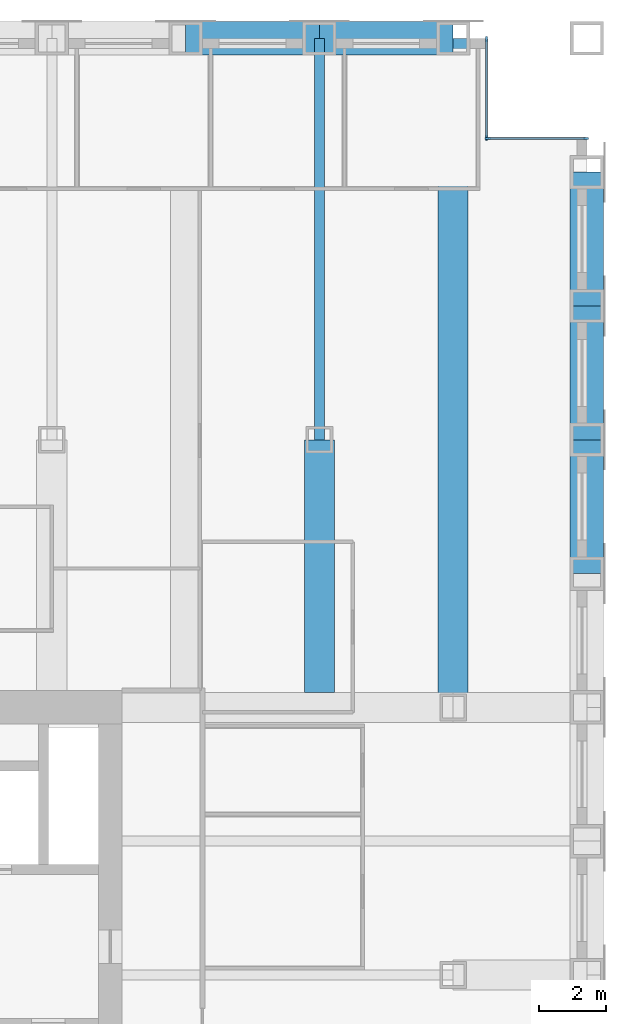
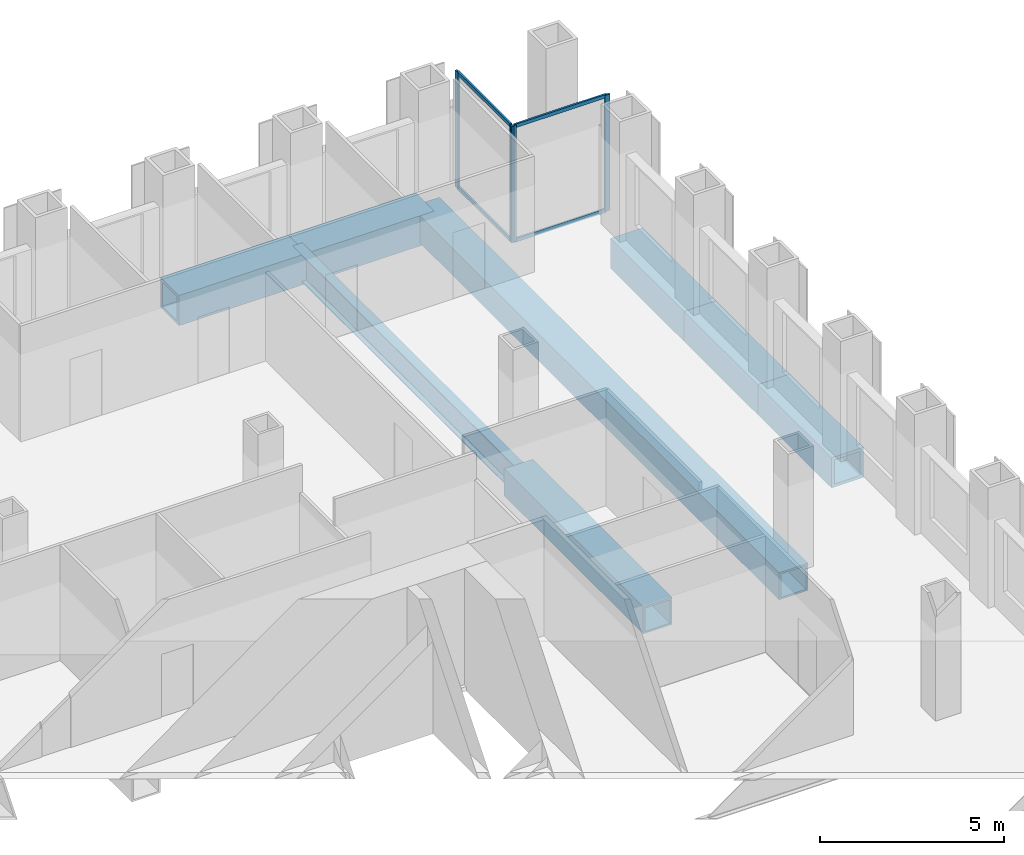
# One storey, part 7 of 13: 8 beams, 8 members, 2 elements without a shape of their own.
"""IFC4 building model written with IfcOpenShell, lengths in metres."""

import ifcopenshell
import ifcopenshell.guid

model = None  # the IFC model being written
_history = None  # IfcOwnerHistory: only IFC2X3 demands one
_inside = {}  # id of a spatial element -> (the spatial element, [elements in it])
_under = {}  # id of a project, library or spatial element -> (it, [spatial elements below it])
_declared = {}  # id of a project -> (the project, [libraries it declares])
_typed = {}  # id of a type object -> (the type object, [elements of that type])
_made_of = {}  # id of a material, layer set ... -> (it, [elements and type objects made of it])


def new_model(schema):
    """Start an empty IFC model of exactly this schema.

    Asked for "IFC4X3", IfcOpenShell would pick the latest addendum, in which some entities
    have other attributes; the version numbers below select the first issue.
    IFC2X3 requires an IfcOwnerHistory on every rooted entity: one is made here for all.
    """
    global model, _history
    if schema == "IFC4X3":
        model = ifcopenshell.file(schema_version=(4, 3, 0, 0))
    else:
        model = ifcopenshell.file(schema=schema)
    _inside.clear()
    _under.clear()
    _declared.clear()
    _typed.clear()
    _made_of.clear()
    _history = None
    if model.schema == "IFC2X3":
        org = make("IfcOrganization", Name="unknown")
        user = make(
            "IfcPersonAndOrganization",
            ThePerson=make("IfcPerson", FamilyName="unknown"),
            TheOrganization=org,
        )
        app = make(
            "IfcApplication",
            ApplicationDeveloper=org,
            Version="unknown",
            ApplicationFullName="unknown",
            ApplicationIdentifier="unknown",
        )
        _history = make(
            "IfcOwnerHistory",
            OwningUser=user,
            OwningApplication=app,
            ChangeAction="ADDED",
            CreationDate=0,
        )
    return model


def make(cls, **values):
    """One entity of the class cls with the attributes given. An attribute that is None is left unset."""
    return model.create_entity(
        cls, **{name: value for name, value in values.items() if value is not None}
    )


def rooted(cls, **values):
    """An entity with a GlobalId (a new one), such as an element, a storey or a relation."""
    return make(cls, GlobalId=ifcopenshell.guid.new(), OwnerHistory=_history, **values)


def si_unit(unit_type, name, prefix=None):
    """IfcSIUnit, for example si_unit("LENGTHUNIT", "METRE", prefix="MILLI")."""
    return make("IfcSIUnit", UnitType=unit_type, Prefix=prefix, Name=name)


def assignment(units):
    """IfcUnitAssignment: the units of a project."""
    return None if units is None else make("IfcUnitAssignment", Units=units)


def point(xyz):
    """IfcCartesianPoint."""
    return None if xyz is None else make("IfcCartesianPoint", Coordinates=xyz)


def direction(xyz):
    """IfcDirection."""
    return None if xyz is None else make("IfcDirection", DirectionRatios=xyz)


def frame(location, z_axis=None, x_axis=None):
    """IfcAxis2Placement3D, a coordinate frame: its origin and axes. An axis left out is left unset."""
    return make(
        "IfcAxis2Placement3D",
        Location=point(location),
        Axis=direction(z_axis),
        RefDirection=direction(x_axis),
    )


def frame_2d(location, x_axis=None):
    """IfcAxis2Placement2D, a coordinate frame in the plane: its origin and x axis."""
    return make(
        "IfcAxis2Placement2D", Location=point(location), RefDirection=direction(x_axis)
    )


def origin():
    """The frame at (0, 0, 0) with its axes left unset."""
    return frame((0.0, 0.0, 0.0))


def origin_2d():
    """The frame at (0, 0) in the plane with its x axis left unset."""
    return frame_2d((0.0, 0.0))


def place(relative_to, where):
    """IfcLocalPlacement: puts the frame where relative to a parent placement (None: the world)."""
    return make(
        "IfcLocalPlacement", PlacementRelTo=relative_to, RelativePlacement=where
    )


def context(
    kind, dimensions, precision=None, world=None, true_north=None, identifier=None
):
    """IfcGeometricRepresentationContext, for example the 3D "Model" context."""
    return make(
        "IfcGeometricRepresentationContext",
        ContextIdentifier=identifier,
        ContextType=kind,
        CoordinateSpaceDimension=dimensions,
        Precision=precision,
        WorldCoordinateSystem=world,
        TrueNorth=true_north,
    )


def subcontext(parent, identifier, kind, view, scale=None):
    """IfcGeometricRepresentationSubContext, for example "Body" below "Model"."""
    return make(
        "IfcGeometricRepresentationSubContext",
        ContextIdentifier=identifier,
        ContextType=kind,
        ParentContext=parent,
        TargetScale=scale,
        TargetView=view,
    )


def project(units=None, contexts=None):
    """IfcProject with its units and contexts."""
    return rooted(
        "IfcProject",
        Name="project",
        RepresentationContexts=contexts,
        UnitsInContext=assignment(units),
    )


def spatial(cls, under=None, at=None, **own):
    """A site, building, storey or space (cls), placed at a placement, below another one or the project."""
    s = rooted(cls, ObjectPlacement=at, **own)
    if under is not None:
        _under.setdefault(under.id(), (under, []))[1].append(s)
    return s


def profile(cls, at=None, kind="AREA", **sizes):
    """A parametric profile (cls). Its sizes go by their IFC names, for example OverallWidth=200.0."""
    return make(cls, ProfileType=kind, Position=at, **sizes)


def rectangle(**sizes):
    """IfcRectangleProfileDef."""
    return profile("IfcRectangleProfileDef", **sizes)


def hollow_rectangle(**sizes):
    """IfcRectangleHollowProfileDef."""
    return profile("IfcRectangleHollowProfileDef", **sizes)


def i_section(**sizes):
    """IfcIShapeProfileDef."""
    return profile("IfcIShapeProfileDef", **sizes)


def extrude(swept, where, along, depth):
    """IfcExtrudedAreaSolid: the profile swept, set in the frame where, extruded along a direction by depth."""
    return make(
        "IfcExtrudedAreaSolid",
        SweptArea=swept,
        Position=where,
        ExtrudedDirection=direction(along),
        Depth=depth,
    )


def shape(context_of_items, identifier, shape_type, items):
    """IfcShapeRepresentation: the items that make up one representation, for example the "Body"."""
    return make(
        "IfcShapeRepresentation",
        ContextOfItems=context_of_items,
        RepresentationIdentifier=identifier,
        RepresentationType=shape_type,
        Items=items,
    )


def material(Name=None, Category=None):
    """IfcMaterial."""
    return make("IfcMaterial", Name=Name, Category=Category)


def material_profile(
    of_material, cross_section, Name=None, Category=None, Priority=None
):
    """IfcMaterialProfile: a cross section and its material."""
    return make(
        "IfcMaterialProfile",
        Name=Name,
        Material=of_material,
        Profile=cross_section,
        Priority=Priority,
        Category=Category,
    )


def profile_set(profiles, Name=None, composite=None):
    """IfcMaterialProfileSet."""
    return make(
        "IfcMaterialProfileSet",
        Name=Name,
        MaterialProfiles=profiles,
        CompositeProfile=composite,
    )


def made_of(thing, what):
    """Note that an element or type object is made of a material, layer set ...; save() writes the relation."""
    if what is not None:
        _made_of.setdefault(what.id(), (what, []))[1].append(thing)
    return thing


def type_object(cls, material=None, **own):
    """A type object (cls), such as IfcWallType, which elements share."""
    return made_of(rooted(cls, **own), material)


def element(
    cls,
    number,
    at=None,
    inside=None,
    cuts=None,
    type_object=None,
    material=None,
    context=None,
    identifier="Body",
    shape_type=None,
    held_by="IfcProductDefinitionShape",
    body=None,
    shapes=None,
    **own,
):
    """One element of the class cls, such as IfcWall. Its Tag is "e" and its number.

    at: its placement. inside: the storey or other place that contains it. cuts: it is an
    opening in that element (IfcRelVoidsElement). A single representation is given by context,
    identifier, shape_type and body (its items); several are given by shapes. held_by: the class
    of the entity that holds the representations. save() writes the other relations.
    """
    e = rooted(cls, Tag="e%d" % number, ObjectPlacement=at, **own)
    if body is not None:
        shapes = [shape(context, identifier, shape_type, body)]
    if shapes is not None:
        e.Representation = make(held_by, Representations=shapes)
    if inside is not None:
        _inside.setdefault(inside.id(), (inside, []))[1].append(e)
    if cuts is not None:
        rooted(
            "IfcRelVoidsElement", RelatingBuildingElement=cuts, RelatedOpeningElement=e
        )
    if type_object is not None:
        _typed.setdefault(type_object.id(), (type_object, []))[1].append(e)
    return made_of(e, material)


def aggregate(whole, parts):
    """IfcRelAggregates: a whole, such as a stair, and the parts it consists of."""
    return rooted("IfcRelAggregates", RelatingObject=whole, RelatedObjects=parts)


def save(model, path):
    """Write the relations noted so far, then the file.

    IfcRelAggregates (storeys below a building ...), IfcRelContainedInSpatialStructure (elements
    in a storey), IfcRelDefinesByType, IfcRelAssociatesMaterial and IfcRelDeclares: one each for
    every whole, place, type object, material and project.
    """
    for whole, parts in _under.values():
        aggregate(whole, parts)
    for where, things in _inside.values():
        rooted(
            "IfcRelContainedInSpatialStructure",
            RelatedElements=things,
            RelatingStructure=where,
        )
    for kind, things in _typed.values():
        rooted("IfcRelDefinesByType", RelatedObjects=things, RelatingType=kind)
    for what, things in _made_of.values():
        rooted("IfcRelAssociatesMaterial", RelatedObjects=things, RelatingMaterial=what)
    for by, libraries in _declared.values():
        rooted("IfcRelDeclares", RelatingContext=by, RelatedDefinitions=libraries)
    model.write(path)


model = new_model("IFC4")

# Units and contexts
model_context = context("Model", 3, precision=1e-05, world=origin(), true_north=direction((0.0, 1.0)))
body_context = subcontext(model_context, "Body", "Model", "MODEL_VIEW")
ifc_project = project(units=[si_unit("LENGTHUNIT", "METRE"), si_unit("AREAUNIT", "SQUARE_METRE"), si_unit("VOLUMEUNIT", "CUBIC_METRE"), si_unit("PLANEANGLEUNIT", "RADIAN"), si_unit("MASSUNIT", "GRAM", prefix="KILO")], contexts=[model_context])

# Site, building, storey
site_placement = place(None, origin())
site = spatial("IfcSite", under=ifc_project, at=site_placement, CompositionType="ELEMENT")
building_placement = place(site_placement, origin())
building = spatial("IfcBuilding", under=site, at=building_placement, Name="Rimbunsela Tower", CompositionType="ELEMENT")
storey_placement = place(building_placement, frame((0.0, 0.0, 218.199951171875)))
storey = spatial("IfcBuildingStorey", under=building, at=storey_placement, Name="L52", CompositionType="ELEMENT", Elevation=218.199951171875)

# Beams
ifc_material_1 = material(Name="Steel BJ 55 (fy 410 MPa)", Category="steel")
ifc_material_profile_1 = material_profile(ifc_material_1, hollow_rectangle(XDim=1.0, YDim=1.0, WallThickness=0.10009765625, at=origin_2d()), Name="BOX 1000x1000x100")
ifc_profile_set_1 = profile_set([ifc_material_profile_1], Name="Steel BJ 55 (fy 410 MPa)")
beam_type_1 = type_object("IfcBeamType", Name="Beam BOX 1000x1000x100", PredefinedType="BEAM", material=ifc_profile_set_1)
for number, where, z_axis, x_axis, name in (
    (1, (38.0, 56.0, -0.64990234375), (1.0, 0.0, 0.0), (0.0, 1.0, 0.0), "Beam B3 L52"),
    (2, (42.0, 56.0, -0.64990234375), (1.0, 0.0, 0.0), (0.0, 1.0, 0.0), "Beam B3 L52"),
    (3, (50.0, 40.0, -0.64990234375), (0.0, 1.0, 0.0), (-1.0, 0.0, 0.0), "Beam B3 L52"),
    (4, (50.0, 44.0, -0.64990234375), (0.0, 1.0, 0.0), (-1.0, 0.0, 0.0), "Beam B3 L52"),
    (5, (50.0, 48.0, -0.64990234375), (0.0, 1.0, 0.0), (-1.0, 0.0, 0.0), "Beam B3 L52"),
):
    element("IfcBeam", number, at=place(storey_placement, frame(where, z_axis=z_axis, x_axis=x_axis)), inside=storey, type_object=beam_type_1, Name=name, PredefinedType="BEAM", context=body_context, shape_type="SweptSolid", body=[
        extrude(hollow_rectangle(XDim=1.0, YDim=1.0, WallThickness=0.10009765625, at=origin_2d()), origin(), (0.0, 0.0, 1.0), 4.0),
    ])
ifc_material_2 = material(Name="Steel BJ 55 (fy 410 MPa)", Category="steel")
ifc_material_profile_2 = material_profile(ifc_material_2, hollow_rectangle(XDim=0.89990234375, YDim=0.89990234375, WallThickness=0.06005859375, at=origin_2d()), Name="BOX 900x900x60")
ifc_profile_set_2 = profile_set([ifc_material_profile_2], Name="Steel BJ 55 (fy 410 MPa)")
beam_type_2 = type_object("IfcBeamType", Name="Beam BOX 900x900x60", PredefinedType="BEAM", material=ifc_profile_set_2)
beam_1_placement = place(storey_placement, frame((42.0, 36.449951171875, -0.599853515625), z_axis=(0.0, 1.0, 0.0), x_axis=(-1.0, 0.0, 0.0)))
element("IfcBeam", 6, at=beam_1_placement, inside=storey, type_object=beam_type_2, Name="Beam B1 L52", PredefinedType="BEAM", context=body_context, shape_type="SweptSolid", body=[
    extrude(hollow_rectangle(XDim=0.89990234375, YDim=0.89990234375, WallThickness=0.06005859375, at=origin_2d()), origin(), (0.0, 0.0, 1.0), 7.550048828125),
])
beam_2_placement = place(storey_placement, frame((46.0, 36.0, -0.599853515625), z_axis=(0.0, 1.0, 0.0), x_axis=(-1.0, 0.0, 0.0)))
element("IfcBeam", 7, at=beam_2_placement, inside=storey, type_object=beam_type_2, Name="Beam B1 L52", PredefinedType="BEAM", context=body_context, shape_type="SweptSolid", body=[
    extrude(hollow_rectangle(XDim=0.89990234375, YDim=0.89990234375, WallThickness=0.06005859375, at=origin_2d()), origin(), (0.0, 0.0, 1.0), 20.0),
])
ifc_material_3 = material(Name="Steel BJ 55 (fy 410 MPa)", Category="steel")
ifc_material_profile_3 = material_profile(ifc_material_3, i_section(OverallWidth=0.300048828125, OverallDepth=0.89990234375, WebThickness=0.01611328125, FlangeThickness=0.028076171875, FilletRadius=0.028076171875, at=origin_2d()), Name="H 900x300x16x28")
ifc_profile_set_3 = profile_set([ifc_material_profile_3], Name="Steel BJ 55 (fy 410 MPa)")
beam_type_3 = type_object("IfcBeamType", Name="Beam H 900x300x16x28", PredefinedType="BEAM", material=ifc_profile_set_3)
beam_3_placement = place(storey_placement, frame((42.0, 44.0, -0.599853515625), z_axis=(0.0, 1.0, 0.0), x_axis=(-1.0, 0.0, 0.0)))
element("IfcBeam", 8, at=beam_3_placement, inside=storey, type_object=beam_type_3, Name="Beam B2 L52", PredefinedType="BEAM", context=body_context, shape_type="SweptSolid", body=[
    extrude(i_section(OverallWidth=0.300048828125, OverallDepth=0.89990234375, WebThickness=0.01611328125, FlangeThickness=0.028076171875, FilletRadius=0.028076171875, at=origin_2d()), origin(), (0.0, 0.0, 1.0), 12.0),
])

# Curtain wall, members
ifc_material_4 = material(Name="Aluminium curtain wall", Category="aluminium")
curtain_wall_type = type_object("IfcCurtainWallType", Name="Corner glazing", PredefinedType="USERDEFINED", material=ifc_material_4)
curtain_wall_1_placement = place(storey_placement, origin())
curtain_wall_1 = element("IfcCurtainWall", 9, at=curtain_wall_1_placement, inside=storey, type_object=curtain_wall_type, Name="Corner glazing L52", ObjectType="CORNER GLAZING", PredefinedType="USERDEFINED")
ifc_material_5 = material(Name="Aluminium mullion", Category="aluminium")
ifc_material_profile_4 = material_profile(ifc_material_5, rectangle(XDim=0.06005859375, YDim=0.159912109375, at=origin_2d()), Name="Mullion 60x160")
ifc_profile_set_4 = profile_set([ifc_material_profile_4], Name="Aluminium mullion")
member_type_1 = type_object("IfcMemberType", Name="Curtain wall mullion 60x160", PredefinedType="MULLION", material=ifc_profile_set_4)
member_1_placement = place(storey_placement, frame((49.969970703125, 53.0, 0.0), z_axis=(0.0, 0.0, 1.0), x_axis=(0.0, -1.0, 0.0)))
member_1 = element("IfcMember", 10, at=member_1_placement, type_object=member_type_1, Name="CW5 mullion 1", PredefinedType="MULLION", context=body_context, shape_type="SweptSolid", body=[
    extrude(rectangle(XDim=0.06005859375, YDim=0.159912109375, at=origin_2d()), origin(), (0.0, 0.0, 1.0), 3.85009765625),
])
member_2_placement = place(storey_placement, frame((47.030029296875, 53.0, 0.0), z_axis=(0.0, 0.0, 1.0), x_axis=(0.0, -1.0, 0.0)))
member_2 = element("IfcMember", 11, at=member_2_placement, type_object=member_type_1, Name="CW5 mullion 2", PredefinedType="MULLION", context=body_context, shape_type="SweptSolid", body=[
    extrude(rectangle(XDim=0.06005859375, YDim=0.159912109375, at=origin_2d()), origin(), (0.0, 0.0, 1.0), 3.85009765625),
])

curtain_wall_2_placement = place(storey_placement, origin())
curtain_wall_2 = element("IfcCurtainWall", 12, at=curtain_wall_2_placement, inside=storey, type_object=curtain_wall_type, Name="Corner glazing L52", ObjectType="CORNER GLAZING", PredefinedType="USERDEFINED")
member_3_placement = place(storey_placement, frame((47.0, 53.030029296875, 0.0), z_axis=(0.0, 0.0, 1.0), x_axis=(-1.0, 0.0, 0.0)))
member_3 = element("IfcMember", 13, at=member_3_placement, type_object=member_type_1, Name="CW5 mullion 1", PredefinedType="MULLION", context=body_context, shape_type="SweptSolid", body=[
    extrude(rectangle(XDim=0.06005859375, YDim=0.159912109375, at=origin_2d()), origin(), (0.0, 0.0, 1.0), 3.85009765625),
])
member_4_placement = place(storey_placement, frame((47.0, 55.969970703125, 0.0), z_axis=(0.0, 0.0, 1.0), x_axis=(-1.0, 0.0, 0.0)))
member_4 = element("IfcMember", 14, at=member_4_placement, type_object=member_type_1, Name="CW5 mullion 2", PredefinedType="MULLION", context=body_context, shape_type="SweptSolid", body=[
    extrude(rectangle(XDim=0.06005859375, YDim=0.159912109375, at=origin_2d()), origin(), (0.0, 0.0, 1.0), 3.85009765625),
])

# Member
ifc_material_6 = material(Name="Aluminium transom", Category="aluminium")
ifc_material_profile_5 = material_profile(ifc_material_6, rectangle(XDim=0.06005859375, YDim=0.1201171875, at=origin_2d()), Name="Transom 60x120")
ifc_profile_set_5 = profile_set([ifc_material_profile_5], Name="Aluminium transom")
member_type_2 = type_object("IfcMemberType", Name="Curtain wall transom 60x120", PredefinedType="USERDEFINED", material=ifc_profile_set_5)
member_5_placement = place(storey_placement, frame((49.93994140625, 53.0, 0.030029296875), z_axis=(-1.0, 0.0, 0.0), x_axis=(0.0, -1.0, 0.0)))
member_5 = element("IfcMember", 15, at=member_5_placement, type_object=member_type_2, Name="CW5 transom 1.1", ObjectType="TRANSOM", PredefinedType="USERDEFINED", context=body_context, shape_type="SweptSolid", body=[
    extrude(rectangle(XDim=0.06005859375, YDim=0.1201171875, at=origin_2d()), origin(), (0.0, 0.0, 1.0), 2.8798828125),
])

member_6_placement = place(storey_placement, frame((49.93994140625, 53.0, 3.820068359375), z_axis=(-1.0, 0.0, 0.0), x_axis=(0.0, -1.0, 0.0)))
member_6 = element("IfcMember", 16, at=member_6_placement, type_object=member_type_2, Name="CW5 transom 1.2", ObjectType="TRANSOM", PredefinedType="USERDEFINED", context=body_context, shape_type="SweptSolid", body=[
    extrude(rectangle(XDim=0.06005859375, YDim=0.1201171875, at=origin_2d()), origin(), (0.0, 0.0, 1.0), 2.8798828125),
])

aggregate(curtain_wall_1, [member_1, member_2, member_5, member_6])

member_7_placement = place(storey_placement, frame((47.0, 53.06005859375, 0.030029296875), z_axis=(0.0, 1.0, 0.0), x_axis=(-1.0, 0.0, 0.0)))
member_7 = element("IfcMember", 17, at=member_7_placement, type_object=member_type_2, Name="CW5 transom 1.1", ObjectType="TRANSOM", PredefinedType="USERDEFINED", context=body_context, shape_type="SweptSolid", body=[
    extrude(rectangle(XDim=0.06005859375, YDim=0.1201171875, at=origin_2d()), origin(), (0.0, 0.0, 1.0), 2.8798828125),
])

member_8_placement = place(storey_placement, frame((47.0, 53.06005859375, 3.820068359375), z_axis=(0.0, 1.0, 0.0), x_axis=(-1.0, 0.0, 0.0)))
member_8 = element("IfcMember", 18, at=member_8_placement, type_object=member_type_2, Name="CW5 transom 1.2", ObjectType="TRANSOM", PredefinedType="USERDEFINED", context=body_context, shape_type="SweptSolid", body=[
    extrude(rectangle(XDim=0.06005859375, YDim=0.1201171875, at=origin_2d()), origin(), (0.0, 0.0, 1.0), 2.8798828125),
])

aggregate(curtain_wall_2, [member_3, member_4, member_7, member_8])

save(model, "model.ifc")
